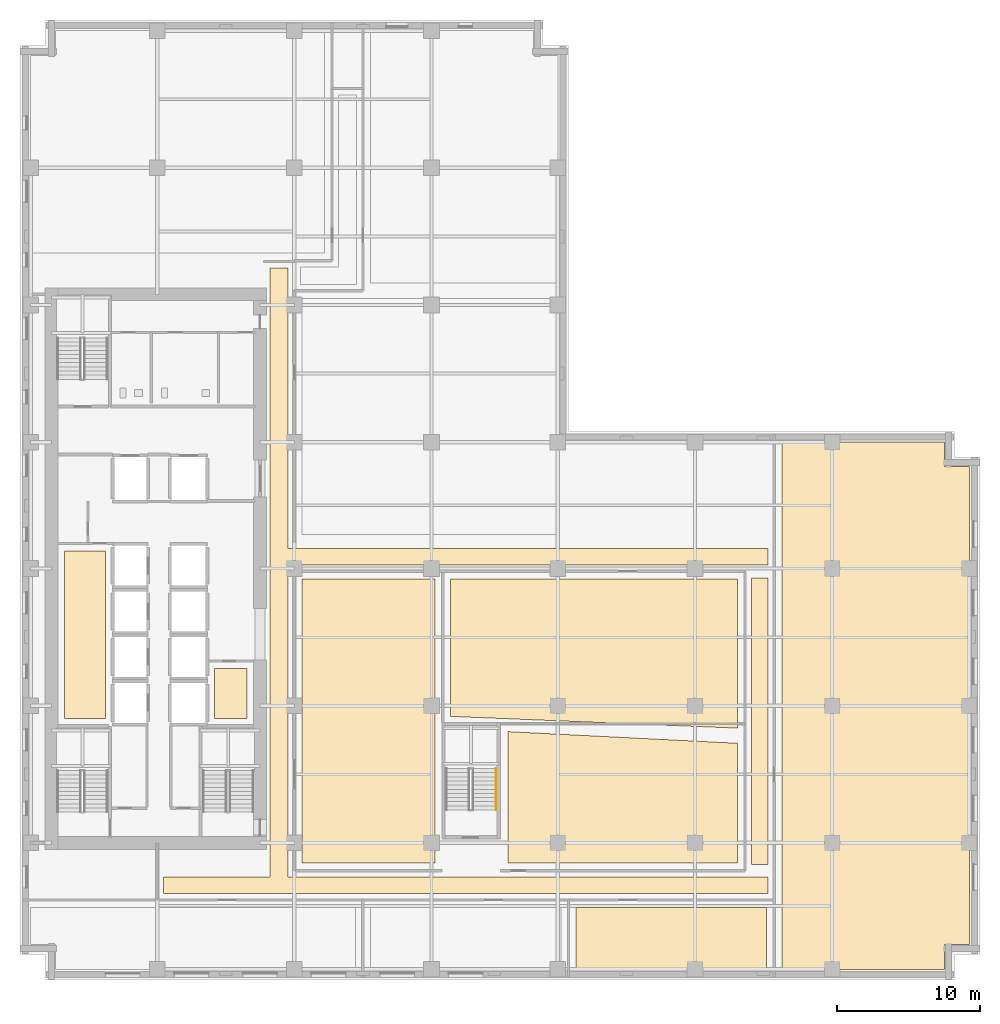
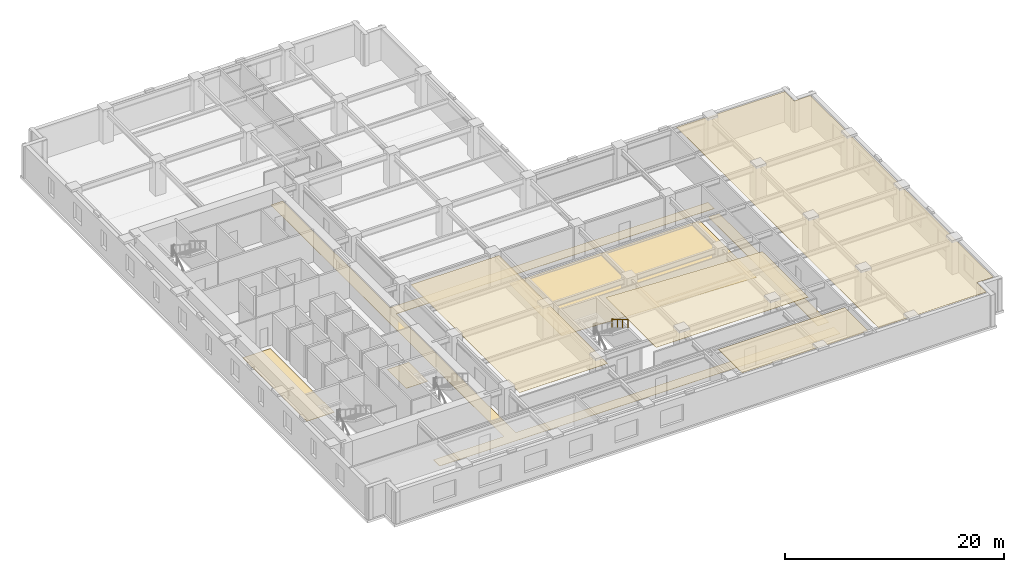
# One storey, part 10 of 13: 9 coverings, 1 railing.
"""IFC4 building model written with IfcOpenShell, lengths in metres."""

from ifc_helpers import new_model, si_unit, direction, frame, origin, origin_2d, place, context, subcontext, project, spatial, polyline, circle, outline, extrude, material, layer, layer_set, type_object, element, save


model = new_model("IFC4")

# Units and contexts
model_context = context("Model", 3, precision=1e-05, world=origin(), true_north=direction((0.0, 1.0)))
body_context = subcontext(model_context, "Body", "Model", "MODEL_VIEW")
ifc_project = project(units=[si_unit("LENGTHUNIT", "METRE"), si_unit("AREAUNIT", "SQUARE_METRE"), si_unit("VOLUMEUNIT", "CUBIC_METRE"), si_unit("PLANEANGLEUNIT", "RADIAN"), si_unit("MASSUNIT", "GRAM", prefix="KILO")], contexts=[model_context])

# Site, building, storey
site_placement = place(None, origin())
site = spatial("IfcSite", under=ifc_project, at=site_placement, CompositionType="ELEMENT")
building_placement = place(site_placement, origin())
building = spatial("IfcBuilding", under=site, at=building_placement, Name="Norrvale University Quadrangle", CompositionType="ELEMENT")
storey_placement = place(building_placement, frame((0.0, 0.0, 66.0)))
storey = spatial("IfcBuildingStorey", under=building, at=storey_placement, Name="L16", CompositionType="ELEMENT", Elevation=66.0)

# Coverings
ifc_material_1 = material(Name="Perforated Acoustic Mineral Ceiling")
ifc_layer_1 = layer(ifc_material_1, 0.02490234375, Name="Perforated Acoustic Mineral Ceiling")
ifc_layer_set_1 = layer_set([ifc_layer_1], Name="Perforated Acoustic Mineral Ceiling")
covering_type_1 = type_object("IfcCoveringType", Name="Covering Acoustic Ceiling 25", PredefinedType="CEILING", material=ifc_layer_set_1)
covering_1_placement = place(storey_placement, frame((0.0, 0.0, 3.514892578125)))
element("IfcCovering", 1, at=covering_1_placement, inside=storey, type_object=covering_type_1, Name="Acoustic Ceiling RM-L16-S03", PredefinedType="CEILING", context=body_context, shape_type="SweptSolid", body=[
    extrude(outline(polyline([(38.929931640625, 5.070068359375), (52.27001953125, 5.070068359375), (52.27001953125, 0.75), (38.929931640625, 0.75), (38.929931640625, 5.070068359375)])), origin(), (0.0, 0.0, 1.0), 0.025146484375),
])
covering_2_placement = place(storey_placement, frame((0.0, 0.0, 3.514892578125)))
element("IfcCovering", 2, at=covering_2_placement, inside=storey, type_object=covering_type_1, Name="Acoustic Ceiling RM-L16-E01", PredefinedType="CEILING", context=body_context, shape_type="SweptSolid", body=[
    extrude(outline(polyline([(53.330078125, 0.75), (53.330078125, 37.64990234375), (64.72998046875, 37.64990234375), (64.72998046875, 35.929931640625), (66.449951171875, 35.929931640625), (66.449951171875, 2.469970703125), (64.72998046875, 2.469970703125), (64.72998046875, 0.75), (53.330078125, 0.75)])), origin(), (0.0, 0.0, 1.0), 0.025146484375),
])
covering_3_placement = place(storey_placement, frame((0.0, 0.0, 3.514892578125)))
element("IfcCovering", 3, at=covering_3_placement, inside=storey, type_object=covering_type_1, Name="Acoustic Ceiling RM-L16-IW1", PredefinedType="CEILING", context=body_context, shape_type="SweptSolid", body=[
    extrude(outline(polyline([(19.72998046875, 8.179931640625), (19.72998046875, 28.070068359375), (29.050048828125, 28.070068359375), (29.050048828125, 8.179931640625), (19.72998046875, 8.179931640625)])), origin(), (0.0, 0.0, 1.0), 0.025146484375),
])
covering_4_placement = place(storey_placement, frame((0.0, 0.0, 3.514892578125)))
element("IfcCovering", 4, at=covering_4_placement, inside=storey, type_object=covering_type_1, Name="Acoustic Ceiling RM-L16-ISE", PredefinedType="CEILING", context=body_context, shape_type="SweptSolid", body=[
    extrude(outline(polyline([(34.14990234375, 8.179931640625), (34.14990234375, 17.386962890625), (50.219970703125, 16.572021484375), (50.219970703125, 8.179931640625), (34.14990234375, 8.179931640625)])), origin(), (0.0, 0.0, 1.0), 0.025146484375),
])
ifc_material_2 = material(Name="Polished Terrazzo Flooring")
ifc_layer_2 = layer(ifc_material_2, 0.02490234375, Name="Polished Terrazzo Flooring")
ifc_layer_set_2 = layer_set([ifc_layer_2], Name="Polished Terrazzo Flooring")
covering_type_2 = type_object("IfcCoveringType", Name="Covering Terrazzo Floor 30", PredefinedType="FLOORING", material=ifc_layer_set_2)
covering_5_placement = place(storey_placement, origin())
element("IfcCovering", 5, at=covering_5_placement, inside=storey, type_object=covering_type_2, Name="Terrazzo Flooring RM-L16-JAN", PredefinedType="FLOORING", context=body_context, shape_type="SweptSolid", body=[
    extrude(outline(polyline([(13.60009765625, 18.300048828125), (13.60009765625, 21.800048828125), (15.89990234375, 21.800048828125), (15.89990234375, 18.300048828125), (13.60009765625, 18.300048828125)])), origin(), (0.0, 0.0, 1.0), 0.02490234375),
])
covering_6_placement = place(storey_placement, origin())
element("IfcCovering", 6, at=covering_6_placement, inside=storey, type_object=covering_type_2, Name="Terrazzo Flooring RM-L16-WSTOR", PredefinedType="FLOORING", context=body_context, shape_type="SweptSolid", body=[
    extrude(outline(polyline([(3.10009765625, 18.300048828125), (3.10009765625, 30.030029296875), (6.0, 30.030029296875), (6.0, 18.300048828125), (3.10009765625, 18.300048828125)])), origin(), (0.0, 0.0, 1.0), 0.02490234375),
])
covering_7_placement = place(storey_placement, origin())
element("IfcCovering", 7, at=covering_7_placement, inside=storey, type_object=covering_type_2, Name="Terrazzo Flooring RM-L16-CORR1", PredefinedType="FLOORING", context=body_context, shape_type="SweptSolid", body=[
    extrude(outline(polyline([(10.050048828125, 6.050048828125), (10.050048828125, 7.199951171875), (17.5, 7.199951171875), (17.5, 49.85009765625), (18.75, 49.85009765625), (18.75, 30.199951171875), (52.35009765625, 30.199951171875), (52.35009765625, 29.050048828125), (18.75, 29.050048828125), (18.75, 7.199951171875), (52.35009765625, 7.199951171875), (52.35009765625, 6.050048828125), (10.050048828125, 6.050048828125)])), origin(), (0.0, 0.0, 1.0), 0.02490234375),
])
covering_8_placement = place(storey_placement, origin())
element("IfcCovering", 8, at=covering_8_placement, inside=storey, type_object=covering_type_2, Name="Terrazzo Flooring RM-L16-CORR2", PredefinedType="FLOORING", context=body_context, shape_type="SweptSolid", body=[
    extrude(outline(polyline([(51.199951171875, 8.10009765625), (51.199951171875, 28.14990234375), (52.35009765625, 28.14990234375), (52.35009765625, 8.10009765625), (51.199951171875, 8.10009765625)])), origin(), (0.0, 0.0, 1.0), 0.02490234375),
])
covering_9_placement = place(storey_placement, origin())
element("IfcCovering", 9, at=covering_9_placement, inside=storey, type_object=covering_type_2, Name="Terrazzo Flooring RM-L16-ILH", PredefinedType="FLOORING", context=body_context, shape_type="SweptSolid", body=[
    extrude(outline(polyline([(30.1298828125, 18.451904296875), (30.1298828125, 28.070068359375), (50.219970703125, 28.070068359375), (50.219970703125, 17.62890625), (30.1298828125, 18.451904296875)])), origin(), (0.0, 0.0, 1.0), 0.02490234375),
])

# Railing
ifc_material_3 = material(Name="Stainless Steel 316L Handrail", Category="steel")
railing_type = type_object("IfcRailingType", Name="Railing Stair Handrail 920", PredefinedType="HANDRAIL", material=ifc_material_3)
railing_placement = place(storey_placement, frame((33.31005859375, 14.800048828125, 2.07275390625)))
element("IfcRailing", 10, at=railing_placement, inside=storey, type_object=railing_type, Name="Stair Upper Flight Handrail ST-04 L16", PredefinedType="HANDRAIL", context=body_context, shape_type="SweptSolid", body=[
    extrude(circle(Radius=0.02392578125, at=origin_2d()), frame((0.0, 0.0, 0.89599609375), z_axis=(0.0, -0.859160404282, 0.51170636083), x_axis=(1.0, 0.0, 0.0)), (0.0, 0.0, 1.0), 3.37548828125),
    extrude(circle(Radius=0.02099609375, at=origin_2d()), origin(), (0.0, 0.0, 1.0), 0.871826171875),
    extrude(circle(Radius=0.02099609375, at=origin_2d()), frame((0.0, -0.966796875, 0.57568359375)), (0.0, 0.0, 1.0), 0.871826171875),
    extrude(circle(Radius=0.02099609375, at=origin_2d()), frame((0.0, -1.933349609375, 1.151611328125)), (0.0, 0.0, 1.0), 0.871826171875),
    extrude(circle(Radius=0.02099609375, at=origin_2d()), frame((0.0, -2.900146484375, 1.727294921875)), (0.0, 0.0, 1.0), 0.871826171875),
])

save(model, "model.ifc")
